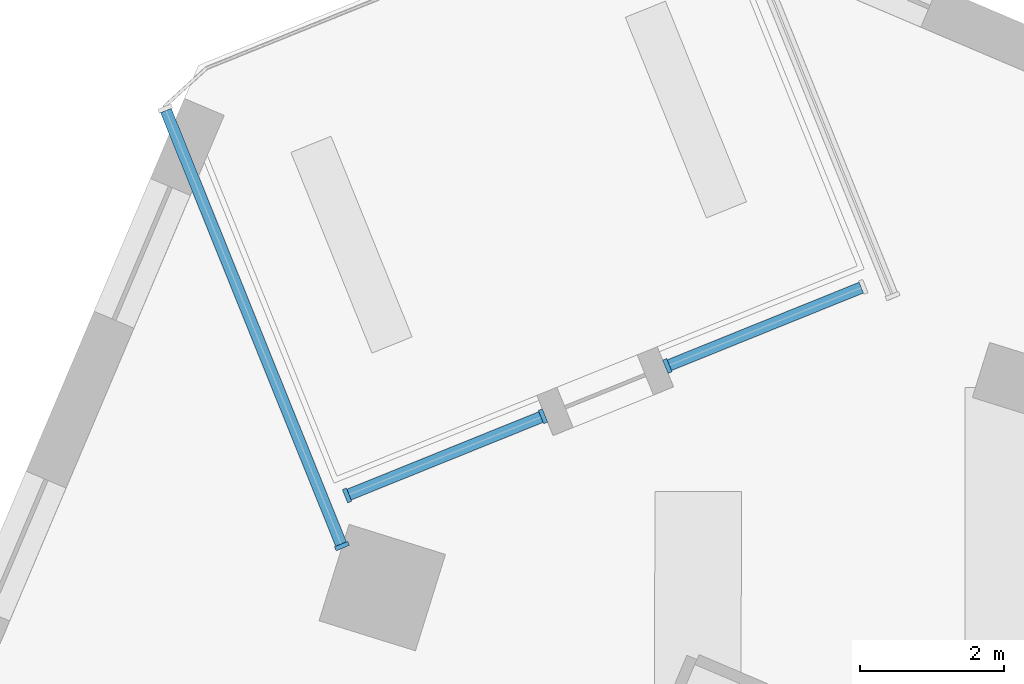
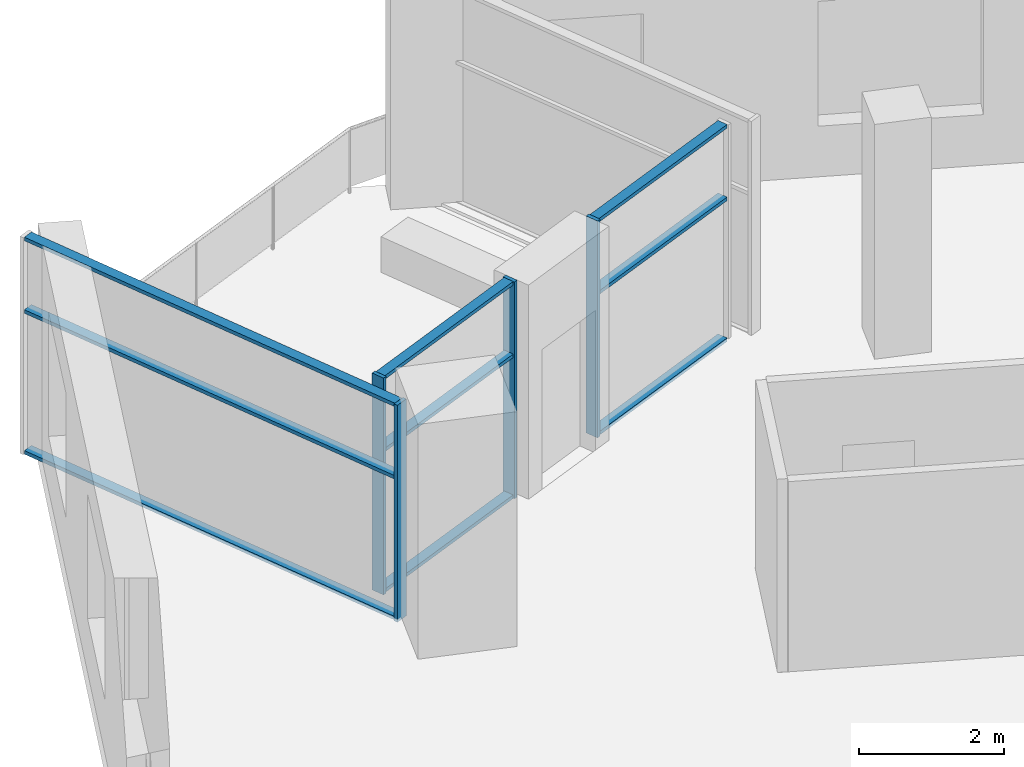
# One storey, part 2 of 13: 13 members, 3 elements without a shape of their own.
"""IFC4 building model written with IfcOpenShell, lengths in metres."""

from ifc_helpers import new_model, si_unit, direction, frame, origin, origin_2d, place, context, subcontext, project, spatial, rectangle, extrude, material, material_profile, profile_set, type_object, element, aggregate, save


model = new_model("IFC4")

# Units and contexts
model_context = context("Model", 3, precision=1e-05, world=origin(), true_north=direction((0.0, 1.0)))
body_context = subcontext(model_context, "Body", "Model", "MODEL_VIEW")
ifc_project = project(units=[si_unit("LENGTHUNIT", "METRE"), si_unit("AREAUNIT", "SQUARE_METRE"), si_unit("VOLUMEUNIT", "CUBIC_METRE"), si_unit("PLANEANGLEUNIT", "RADIAN"), si_unit("MASSUNIT", "GRAM", prefix="KILO")], contexts=[model_context])

# Site, building, storey
site_placement = place(None, origin())
site = spatial("IfcSite", under=ifc_project, at=site_placement, CompositionType="ELEMENT")
building_placement = place(site_placement, origin())
building = spatial("IfcBuilding", under=site, at=building_placement, Name="Dilmun Exchange Tower", CompositionType="ELEMENT")
storey_placement = place(building_placement, frame((0.0, 0.0, 296.5)))
storey = spatial("IfcBuildingStorey", under=building, at=storey_placement, Name="L70", CompositionType="ELEMENT", Elevation=296.5)

# Curtain wall, member
ifc_material_1 = material(Name="Anodised aluminium and clear glass", Category="aluminium")
curtain_wall_type = type_object("IfcCurtainWallType", Name="Garden corner glazing", PredefinedType="NOTDEFINED", material=ifc_material_1)
curtain_wall_1_placement = place(storey_placement, origin())
curtain_wall_1 = element("IfcCurtainWall", 1, at=curtain_wall_1_placement, inside=storey, type_object=curtain_wall_type, Name="Garden corner glazing run GC2.1", PredefinedType="NOTDEFINED")
ifc_material_2 = material(Name="Anodised aluminium", Category="aluminium")
ifc_material_profile_1 = material_profile(ifc_material_2, rectangle(XDim=0.199951171875, YDim=0.06005859375, at=origin_2d()), Name="AL 60x200")
ifc_profile_set_1 = profile_set([ifc_material_profile_1], Name="Anodised aluminium")
member_type_1 = type_object("IfcMemberType", Name="Garden corner glazing mullion 60 x 200", PredefinedType="MULLION", material=ifc_profile_set_1)
member_1_placement = place(storey_placement, frame((-8.5849609375, 29.39404296875, 0.0), z_axis=(0.0, 0.0, 1.0), x_axis=(0.374589715698, -0.927190673429, 0.0)))
member_1 = element("IfcMember", 2, at=member_1_placement, type_object=member_type_1, Name="GC2.1 mullion 2", PredefinedType="MULLION", context=body_context, shape_type="SweptSolid", body=[
    extrude(rectangle(XDim=0.199951171875, YDim=0.06005859375, at=origin_2d()), origin(), (0.0, 0.0, 1.0), 3.64990234375),
])

# Curtain wall, members
curtain_wall_2_placement = place(storey_placement, origin())
curtain_wall_2 = element("IfcCurtainWall", 3, at=curtain_wall_2_placement, inside=storey, type_object=curtain_wall_type, Name="Garden corner glazing run GC2.3", PredefinedType="NOTDEFINED")
member_2_placement = place(storey_placement, frame((-10.3095703125, 28.697265625, 0.0), z_axis=(0.0, 0.0, 1.0), x_axis=(0.374601335291, -0.92718597897, 0.0)))
member_2 = element("IfcMember", 4, at=member_2_placement, type_object=member_type_1, Name="GC2.3 mullion 1", PredefinedType="MULLION", context=body_context, shape_type="SweptSolid", body=[
    extrude(rectangle(XDim=0.199951171875, YDim=0.06005859375, at=origin_2d()), origin(), (0.0, 0.0, 1.0), 3.64990234375),
])
member_3_placement = place(storey_placement, frame((-13.025390625, 27.599853515625, 0.0), z_axis=(0.0, 0.0, 1.0), x_axis=(0.374601335291, -0.92718597897, 0.0)))
member_3 = element("IfcMember", 5, at=member_3_placement, type_object=member_type_1, Name="GC2.3 mullion 2", PredefinedType="MULLION", context=body_context, shape_type="SweptSolid", body=[
    extrude(rectangle(XDim=0.199951171875, YDim=0.06005859375, at=origin_2d()), origin(), (0.0, 0.0, 1.0), 3.64990234375),
])

# Curtain wall, member
curtain_wall_3_placement = place(storey_placement, origin())
curtain_wall_3 = element("IfcCurtainWall", 6, at=curtain_wall_3_placement, inside=storey, type_object=curtain_wall_type, Name="Garden corner glazing run GC3.1", PredefinedType="NOTDEFINED")
member_4_placement = place(storey_placement, frame((-13.097412109375, 26.8974609375, 0.0), z_axis=(0.0, 0.0, 1.0), x_axis=(-0.92718072373, -0.374614342415, 0.0)))
member_4 = element("IfcMember", 7, at=member_4_placement, type_object=member_type_1, Name="GC3.1 mullion 1", PredefinedType="MULLION", context=body_context, shape_type="SweptSolid", body=[
    extrude(rectangle(XDim=0.199951171875, YDim=0.06005859375, at=origin_2d()), origin(), (0.0, 0.0, 1.0), 3.64990234375),
])

# Member
ifc_material_profile_2 = material_profile(ifc_material_2, rectangle(XDim=0.159912109375, YDim=0.06005859375, at=origin_2d()), Name="AL 60x160")
ifc_profile_set_2 = profile_set([ifc_material_profile_2], Name="Anodised aluminium")
member_type_2 = type_object("IfcMemberType", Name="Garden corner glazing transom 60 x 160", PredefinedType="USERDEFINED", material=ifc_profile_set_2)
member_5_placement = place(storey_placement, frame((-5.89697265625, 30.47998046875, 0.030029296875), z_axis=(-0.927191827251, -0.374586859725, 0.0), x_axis=(0.374586859725, -0.927191827251, 0.0)))
member_5 = element("IfcMember", 8, at=member_5_placement, type_object=member_type_2, Name="GC2.1 transom 1.1", ObjectType="TRANSOM", PredefinedType="USERDEFINED", context=body_context, shape_type="SweptSolid", body=[
    extrude(rectangle(XDim=0.159912109375, YDim=0.06005859375, at=origin_2d()), origin(), (0.0, 0.0, 1.0), 2.869140625),
])

member_6_placement = place(storey_placement, frame((-5.89697265625, 30.47998046875, 2.39990234375), z_axis=(-0.927191827251, -0.374586859725, 0.0), x_axis=(0.374586859725, -0.927191827251, 0.0)))
member_6 = element("IfcMember", 9, at=member_6_placement, type_object=member_type_2, Name="GC2.1 transom 1.2", ObjectType="TRANSOM", PredefinedType="USERDEFINED", context=body_context, shape_type="SweptSolid", body=[
    extrude(rectangle(XDim=0.159912109375, YDim=0.06005859375, at=origin_2d()), origin(), (0.0, 0.0, 1.0), 2.869140625),
])

member_7_placement = place(storey_placement, frame((-5.89697265625, 30.47998046875, 3.6201171875), z_axis=(-0.927191827251, -0.374586859725, 0.0), x_axis=(0.374586859725, -0.927191827251, 0.0)))
member_7 = element("IfcMember", 10, at=member_7_placement, type_object=member_type_2, Name="GC2.1 transom 1.3", ObjectType="TRANSOM", PredefinedType="USERDEFINED", context=body_context, shape_type="SweptSolid", body=[
    extrude(rectangle(XDim=0.159912109375, YDim=0.06005859375, at=origin_2d()), origin(), (0.0, 0.0, 1.0), 2.869140625),
])

aggregate(curtain_wall_1, [member_1, member_5, member_6, member_7])

member_8_placement = place(storey_placement, frame((-10.33740234375, 28.68603515625, 0.030029296875), z_axis=(-0.927162270738, -0.374660010835, 0.0), x_axis=(0.374660010835, -0.927162270738, 0.0)))
member_8 = element("IfcMember", 11, at=member_8_placement, type_object=member_type_2, Name="GC2.3 transom 1.1", ObjectType="TRANSOM", PredefinedType="USERDEFINED", context=body_context, shape_type="SweptSolid", body=[
    extrude(rectangle(XDim=0.159912109375, YDim=0.06005859375, at=origin_2d()), origin(), (0.0, 0.0, 1.0), 2.869140625),
])

member_9_placement = place(storey_placement, frame((-10.33740234375, 28.68603515625, 2.39990234375), z_axis=(-0.927162270738, -0.374660010835, 0.0), x_axis=(0.374660010835, -0.927162270738, 0.0)))
member_9 = element("IfcMember", 12, at=member_9_placement, type_object=member_type_2, Name="GC2.3 transom 1.2", ObjectType="TRANSOM", PredefinedType="USERDEFINED", context=body_context, shape_type="SweptSolid", body=[
    extrude(rectangle(XDim=0.159912109375, YDim=0.06005859375, at=origin_2d()), origin(), (0.0, 0.0, 1.0), 2.869140625),
])

member_10_placement = place(storey_placement, frame((-10.33740234375, 28.68603515625, 3.6201171875), z_axis=(-0.927162270738, -0.374660010835, 0.0), x_axis=(0.374660010835, -0.927162270738, 0.0)))
member_10 = element("IfcMember", 13, at=member_10_placement, type_object=member_type_2, Name="GC2.3 transom 1.3", ObjectType="TRANSOM", PredefinedType="USERDEFINED", context=body_context, shape_type="SweptSolid", body=[
    extrude(rectangle(XDim=0.159912109375, YDim=0.06005859375, at=origin_2d()), origin(), (0.0, 0.0, 1.0), 2.869140625),
])

aggregate(curtain_wall_2, [member_2, member_3, member_8, member_9, member_10])

member_11_placement = place(storey_placement, frame((-13.108642578125, 26.92529296875, 0.030029296875), z_axis=(-0.374610043428, 0.927182460664, 0.0), x_axis=(-0.927182460664, -0.374610043428, 0.0)))
member_11 = element("IfcMember", 14, at=member_11_placement, type_object=member_type_2, Name="GC3.1 transom 1.1", ObjectType="TRANSOM", PredefinedType="USERDEFINED", context=body_context, shape_type="SweptSolid", body=[
    extrude(rectangle(XDim=0.159912109375, YDim=0.06005859375, at=origin_2d()), origin(), (0.0, 0.0, 1.0), 6.480712890625),
])

member_12_placement = place(storey_placement, frame((-13.108642578125, 26.92529296875, 2.39990234375), z_axis=(-0.374610043428, 0.927182460664, 0.0), x_axis=(-0.927182460664, -0.374610043428, 0.0)))
member_12 = element("IfcMember", 15, at=member_12_placement, type_object=member_type_2, Name="GC3.1 transom 1.2", ObjectType="TRANSOM", PredefinedType="USERDEFINED", context=body_context, shape_type="SweptSolid", body=[
    extrude(rectangle(XDim=0.159912109375, YDim=0.06005859375, at=origin_2d()), origin(), (0.0, 0.0, 1.0), 6.480712890625),
])

member_13_placement = place(storey_placement, frame((-13.108642578125, 26.92529296875, 3.6201171875), z_axis=(-0.374610043428, 0.927182460664, 0.0), x_axis=(-0.927182460664, -0.374610043428, 0.0)))
member_13 = element("IfcMember", 16, at=member_13_placement, type_object=member_type_2, Name="GC3.1 transom 1.3", ObjectType="TRANSOM", PredefinedType="USERDEFINED", context=body_context, shape_type="SweptSolid", body=[
    extrude(rectangle(XDim=0.159912109375, YDim=0.06005859375, at=origin_2d()), origin(), (0.0, 0.0, 1.0), 6.480712890625),
])

aggregate(curtain_wall_3, [member_4, member_11, member_12, member_13])

save(model, "model.ifc")
